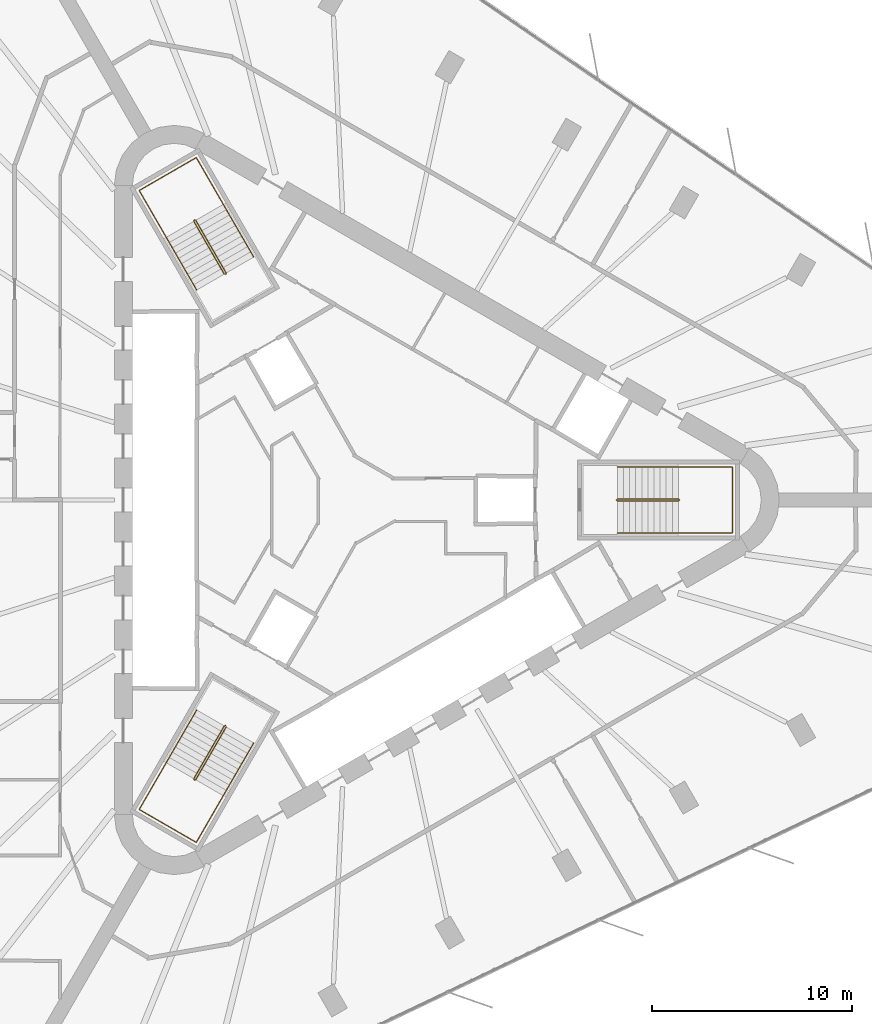
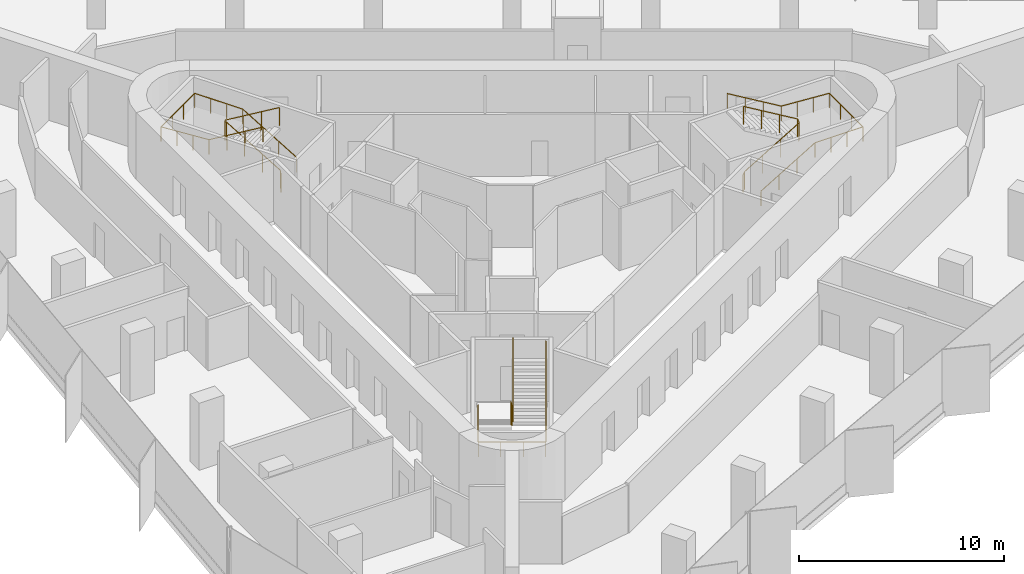
# One storey, part 13 of 13: 6 railings.
"""IFC4 building model written with IfcOpenShell, lengths in metres."""

import ifcopenshell
import ifcopenshell.guid

model = None  # the IFC model being written
_history = None  # IfcOwnerHistory: only IFC2X3 demands one
_inside = {}  # id of a spatial element -> (the spatial element, [elements in it])
_under = {}  # id of a project, library or spatial element -> (it, [spatial elements below it])
_declared = {}  # id of a project -> (the project, [libraries it declares])
_typed = {}  # id of a type object -> (the type object, [elements of that type])
_made_of = {}  # id of a material, layer set ... -> (it, [elements and type objects made of it])


def new_model(schema):
    """Start an empty IFC model of exactly this schema.

    Asked for "IFC4X3", IfcOpenShell would pick the latest addendum, in which some entities
    have other attributes; the version numbers below select the first issue.
    IFC2X3 requires an IfcOwnerHistory on every rooted entity: one is made here for all.
    """
    global model, _history
    if schema == "IFC4X3":
        model = ifcopenshell.file(schema_version=(4, 3, 0, 0))
    else:
        model = ifcopenshell.file(schema=schema)
    _inside.clear()
    _under.clear()
    _declared.clear()
    _typed.clear()
    _made_of.clear()
    _history = None
    if model.schema == "IFC2X3":
        org = make("IfcOrganization", Name="unknown")
        user = make(
            "IfcPersonAndOrganization",
            ThePerson=make("IfcPerson", FamilyName="unknown"),
            TheOrganization=org,
        )
        app = make(
            "IfcApplication",
            ApplicationDeveloper=org,
            Version="unknown",
            ApplicationFullName="unknown",
            ApplicationIdentifier="unknown",
        )
        _history = make(
            "IfcOwnerHistory",
            OwningUser=user,
            OwningApplication=app,
            ChangeAction="ADDED",
            CreationDate=0,
        )
    return model


def make(cls, **values):
    """One entity of the class cls with the attributes given. An attribute that is None is left unset."""
    return model.create_entity(
        cls, **{name: value for name, value in values.items() if value is not None}
    )


def rooted(cls, **values):
    """An entity with a GlobalId (a new one), such as an element, a storey or a relation."""
    return make(cls, GlobalId=ifcopenshell.guid.new(), OwnerHistory=_history, **values)


def si_unit(unit_type, name, prefix=None):
    """IfcSIUnit, for example si_unit("LENGTHUNIT", "METRE", prefix="MILLI")."""
    return make("IfcSIUnit", UnitType=unit_type, Prefix=prefix, Name=name)


def assignment(units):
    """IfcUnitAssignment: the units of a project."""
    return None if units is None else make("IfcUnitAssignment", Units=units)


def point(xyz):
    """IfcCartesianPoint."""
    return None if xyz is None else make("IfcCartesianPoint", Coordinates=xyz)


def direction(xyz):
    """IfcDirection."""
    return None if xyz is None else make("IfcDirection", DirectionRatios=xyz)


def frame(location, z_axis=None, x_axis=None):
    """IfcAxis2Placement3D, a coordinate frame: its origin and axes. An axis left out is left unset."""
    return make(
        "IfcAxis2Placement3D",
        Location=point(location),
        Axis=direction(z_axis),
        RefDirection=direction(x_axis),
    )


def frame_2d(location, x_axis=None):
    """IfcAxis2Placement2D, a coordinate frame in the plane: its origin and x axis."""
    return make(
        "IfcAxis2Placement2D", Location=point(location), RefDirection=direction(x_axis)
    )


def origin():
    """The frame at (0, 0, 0) with its axes left unset."""
    return frame((0.0, 0.0, 0.0))


def origin_2d():
    """The frame at (0, 0) in the plane with its x axis left unset."""
    return frame_2d((0.0, 0.0))


def place(relative_to, where):
    """IfcLocalPlacement: puts the frame where relative to a parent placement (None: the world)."""
    return make(
        "IfcLocalPlacement", PlacementRelTo=relative_to, RelativePlacement=where
    )


def context(
    kind, dimensions, precision=None, world=None, true_north=None, identifier=None
):
    """IfcGeometricRepresentationContext, for example the 3D "Model" context."""
    return make(
        "IfcGeometricRepresentationContext",
        ContextIdentifier=identifier,
        ContextType=kind,
        CoordinateSpaceDimension=dimensions,
        Precision=precision,
        WorldCoordinateSystem=world,
        TrueNorth=true_north,
    )


def subcontext(parent, identifier, kind, view, scale=None):
    """IfcGeometricRepresentationSubContext, for example "Body" below "Model"."""
    return make(
        "IfcGeometricRepresentationSubContext",
        ContextIdentifier=identifier,
        ContextType=kind,
        ParentContext=parent,
        TargetScale=scale,
        TargetView=view,
    )


def project(units=None, contexts=None):
    """IfcProject with its units and contexts."""
    return rooted(
        "IfcProject",
        Name="project",
        RepresentationContexts=contexts,
        UnitsInContext=assignment(units),
    )


def spatial(cls, under=None, at=None, **own):
    """A site, building, storey or space (cls), placed at a placement, below another one or the project."""
    s = rooted(cls, ObjectPlacement=at, **own)
    if under is not None:
        _under.setdefault(under.id(), (under, []))[1].append(s)
    return s


def profile(cls, at=None, kind="AREA", **sizes):
    """A parametric profile (cls). Its sizes go by their IFC names, for example OverallWidth=200.0."""
    return make(cls, ProfileType=kind, Position=at, **sizes)


def circle(**sizes):
    """IfcCircleProfileDef."""
    return profile("IfcCircleProfileDef", **sizes)


def extrude(swept, where, along, depth):
    """IfcExtrudedAreaSolid: the profile swept, set in the frame where, extruded along a direction by depth."""
    return make(
        "IfcExtrudedAreaSolid",
        SweptArea=swept,
        Position=where,
        ExtrudedDirection=direction(along),
        Depth=depth,
    )


def shape(context_of_items, identifier, shape_type, items):
    """IfcShapeRepresentation: the items that make up one representation, for example the "Body"."""
    return make(
        "IfcShapeRepresentation",
        ContextOfItems=context_of_items,
        RepresentationIdentifier=identifier,
        RepresentationType=shape_type,
        Items=items,
    )


def material(Name=None, Category=None):
    """IfcMaterial."""
    return make("IfcMaterial", Name=Name, Category=Category)


def made_of(thing, what):
    """Note that an element or type object is made of a material, layer set ...; save() writes the relation."""
    if what is not None:
        _made_of.setdefault(what.id(), (what, []))[1].append(thing)
    return thing


def type_object(cls, material=None, **own):
    """A type object (cls), such as IfcWallType, which elements share."""
    return made_of(rooted(cls, **own), material)


def element(
    cls,
    number,
    at=None,
    inside=None,
    cuts=None,
    type_object=None,
    material=None,
    context=None,
    identifier="Body",
    shape_type=None,
    held_by="IfcProductDefinitionShape",
    body=None,
    shapes=None,
    **own,
):
    """One element of the class cls, such as IfcWall. Its Tag is "e" and its number.

    at: its placement. inside: the storey or other place that contains it. cuts: it is an
    opening in that element (IfcRelVoidsElement). A single representation is given by context,
    identifier, shape_type and body (its items); several are given by shapes. held_by: the class
    of the entity that holds the representations. save() writes the other relations.
    """
    e = rooted(cls, Tag="e%d" % number, ObjectPlacement=at, **own)
    if body is not None:
        shapes = [shape(context, identifier, shape_type, body)]
    if shapes is not None:
        e.Representation = make(held_by, Representations=shapes)
    if inside is not None:
        _inside.setdefault(inside.id(), (inside, []))[1].append(e)
    if cuts is not None:
        rooted(
            "IfcRelVoidsElement", RelatingBuildingElement=cuts, RelatedOpeningElement=e
        )
    if type_object is not None:
        _typed.setdefault(type_object.id(), (type_object, []))[1].append(e)
    return made_of(e, material)


def aggregate(whole, parts):
    """IfcRelAggregates: a whole, such as a stair, and the parts it consists of."""
    return rooted("IfcRelAggregates", RelatingObject=whole, RelatedObjects=parts)


def save(model, path):
    """Write the relations noted so far, then the file.

    IfcRelAggregates (storeys below a building ...), IfcRelContainedInSpatialStructure (elements
    in a storey), IfcRelDefinesByType, IfcRelAssociatesMaterial and IfcRelDeclares: one each for
    every whole, place, type object, material and project.
    """
    for whole, parts in _under.values():
        aggregate(whole, parts)
    for where, things in _inside.values():
        rooted(
            "IfcRelContainedInSpatialStructure",
            RelatedElements=things,
            RelatingStructure=where,
        )
    for kind, things in _typed.values():
        rooted("IfcRelDefinesByType", RelatedObjects=things, RelatingType=kind)
    for what, things in _made_of.values():
        rooted("IfcRelAssociatesMaterial", RelatedObjects=things, RelatingMaterial=what)
    for by, libraries in _declared.values():
        rooted("IfcRelDeclares", RelatingContext=by, RelatedDefinitions=libraries)
    model.write(path)


model = new_model("IFC4")

# Units and contexts
model_context = context("Model", 3, precision=1e-05, world=origin(), true_north=direction((0.0, 1.0)))
body_context = subcontext(model_context, "Body", "Model", "MODEL_VIEW")
ifc_project = project(units=[si_unit("LENGTHUNIT", "METRE"), si_unit("AREAUNIT", "SQUARE_METRE"), si_unit("VOLUMEUNIT", "CUBIC_METRE"), si_unit("PLANEANGLEUNIT", "RADIAN"), si_unit("MASSUNIT", "GRAM", prefix="KILO")], contexts=[model_context])

# Site, building, storey
site_placement = place(None, origin())
site = spatial("IfcSite", under=ifc_project, at=site_placement, CompositionType="ELEMENT")
building_placement = place(site_placement, origin())
building = spatial("IfcBuilding", under=site, at=building_placement, Name="Tanit Gate Tower", CompositionType="ELEMENT")
storey_placement = place(building_placement, frame((0.0, 0.0, 269.199951171875)))
storey = spatial("IfcBuildingStorey", under=building, at=storey_placement, Name="L61", CompositionType="ELEMENT", Elevation=269.199951171875)

# Railings
ifc_material_1 = material(Name="Stainless steel balustrade", Category="steel")
railing_type_1 = type_object("IfcRailingType", Name="INT-STAIR-GUARD", PredefinedType="GUARDRAIL", material=ifc_material_1)
railing_1_placement = place(storey_placement, frame((13.044921875, 0.0048828125, 0.0)))
element("IfcRailing", 1, at=railing_1_placement, inside=storey, type_object=railing_type_1, Name="L61 S1 stair guard 1", PredefinedType="GUARDRAIL", context=body_context, shape_type="SweptSolid", body=[
    extrude(circle(Radius=0.02392578125, at=origin_2d()), frame((0.0, 0.0, 1.076171875), z_axis=(0.0, -1.0, 0.0), x_axis=(1.0, 0.0, 0.0)), (0.0, 0.0, 1.0), 0.009765625),
    extrude(circle(Radius=0.02392578125, at=origin_2d()), frame((0.0, -0.009765625, 1.076171875), z_axis=(0.256435381639, -0.256435381639, 0.931923704005), x_axis=(0.707106781187, 0.707106781187, 0.0)), (0.0, 0.0, 1.0), 0.195068359375),
    extrude(circle(Radius=0.02392578125, at=origin_2d()), frame((0.050048828125, -0.059814453125, 1.2578125), z_axis=(0.859041732319, 0.0, 0.511905559781), x_axis=(0.0, 1.0, 0.0)), (0.0, 0.0, 1.0), 3.5517578125),
    extrude(circle(Radius=0.02392578125, at=origin_2d()), frame((3.10107421875, -0.059814453125, 3.076171875), z_axis=(0.707106781187, 0.707106781187, 0.0), x_axis=(-0.707106781187, 0.707106781187, 0.0)), (0.0, 0.0, 1.0), 0.07080078125),
    extrude(circle(Radius=0.02392578125, at=origin_2d()), frame((3.151123046875, -0.009765625, 3.076171875), z_axis=(0.0, 1.0, 0.0), x_axis=(-1.0, 0.0, 0.0)), (0.0, 0.0, 1.0), 0.009765625),
    extrude(circle(Radius=0.02392578125, at=origin_2d()), frame((3.151123046875, 0.0, 3.076171875), z_axis=(-0.256435381639, 0.256435381639, 0.931923704005), x_axis=(-0.707106781187, -0.707106781187, 0.0)), (0.0, 0.0, 1.0), 0.195068359375),
    extrude(circle(Radius=0.02392578125, at=origin_2d()), frame((3.10107421875, 0.050048828125, 3.2578125), z_axis=(-0.859041732319, 0.0, 0.511905559781), x_axis=(0.0, -1.0, 0.0)), (0.0, 0.0, 1.0), 3.5517578125),
    extrude(circle(Radius=0.02099609375, at=origin_2d()), origin(), (0.0, 0.0, 1.0), 1.052001953125),
    extrude(circle(Radius=0.02099609375, at=origin_2d()), frame((0.0, -0.009765625, 0.0)), (0.0, 0.0, 1.0), 1.052001953125),
    extrude(circle(Radius=0.02099609375, at=origin_2d()), frame((0.050048828125, -0.059814453125, 0.181884765625)), (0.0, 0.0, 1.0), 1.052001953125),
    extrude(circle(Radius=0.02099609375, at=origin_2d()), frame((1.067138671875, -0.059814453125, 0.787841796875)), (0.0, 0.0, 1.0), 1.052001953125),
    extrude(circle(Radius=0.02099609375, at=origin_2d()), frame((2.083984375, -0.059814453125, 1.39404296875)), (0.0, 0.0, 1.0), 1.052001953125),
    extrude(circle(Radius=0.02099609375, at=origin_2d()), frame((3.10107421875, -0.059814453125, 2.0)), (0.0, 0.0, 1.0), 1.052001953125),
    extrude(circle(Radius=0.02099609375, at=origin_2d()), frame((3.151123046875, -0.009765625, 2.0)), (0.0, 0.0, 1.0), 1.052001953125),
    extrude(circle(Radius=0.02099609375, at=origin_2d()), frame((3.151123046875, 0.0, 2.0)), (0.0, 0.0, 1.0), 1.052001953125),
    extrude(circle(Radius=0.02099609375, at=origin_2d()), frame((3.10107421875, 0.050048828125, 2.181884765625)), (0.0, 0.0, 1.0), 1.052001953125),
    extrude(circle(Radius=0.02099609375, at=origin_2d()), frame((2.083984375, 0.050048828125, 2.787841796875)), (0.0, 0.0, 1.0), 1.052001953125),
    extrude(circle(Radius=0.02099609375, at=origin_2d()), frame((1.067138671875, 0.050048828125, 3.39404296875)), (0.0, 0.0, 1.0), 1.052001953125),
    extrude(circle(Radius=0.02099609375, at=origin_2d()), frame((0.050048828125, 0.050048828125, 4.0)), (0.0, 0.0, 1.0), 1.052001953125),
])
railing_2_placement = place(storey_placement, frame((-6.527099609375, 11.29345703125, 0.0)))
element("IfcRailing", 2, at=railing_2_placement, inside=storey, type_object=railing_type_1, Name="L61 S2 stair guard 1", PredefinedType="GUARDRAIL", context=body_context, shape_type="SweptSolid", body=[
    extrude(circle(Radius=0.02392578125, at=origin_2d()), frame((0.0, 0.0, 1.076171875), z_axis=(0.868243142124, 0.496138938357, 0.0), x_axis=(-0.496138938357, 0.868243142124, 0.0)), (0.0, 0.0, 1.0), 0.01171875),
    extrude(circle(Radius=0.02392578125, at=origin_2d()), frame((0.01025390625, 0.005859375, 1.076171875), z_axis=(0.093819657636, 0.350260055175, 0.93194193252), x_axis=(-0.965948051503, 0.258736085224, 0.0)), (0.0, 0.0, 1.0), 0.195068359375),
    extrude(circle(Radius=0.02392578125, at=origin_2d()), frame((0.028564453125, 0.07421875, 1.2578125), z_axis=(-0.429472220917, 0.743822504634, 0.512134448226), x_axis=(-0.866012246495, -0.500022788402, 0.0)), (0.0, 0.0, 1.0), 3.550048828125),
    extrude(circle(Radius=0.02392578125, at=origin_2d()), frame((-1.49609375, 2.71484375, 3.076171875), z_axis=(-0.965715946433, 0.259601060869, 0.0), x_axis=(-0.259601060869, -0.965715946433, 0.0)), (0.0, 0.0, 1.0), 0.070556640625),
    extrude(circle(Radius=0.02392578125, at=origin_2d()), frame((-1.564208984375, 2.733154296875, 3.076171875), z_axis=(-0.873197702015, -0.487366159264, 0.0), x_axis=(0.487366159264, -0.873197702015, 0.0)), (0.0, 0.0, 1.0), 0.011962890625),
    extrude(circle(Radius=0.02392578125, at=origin_2d()), frame((-1.57470703125, 2.727294921875, 3.076171875), z_axis=(-0.093819657636, -0.350260055175, 0.93194193252), x_axis=(0.965948051503, -0.258736085224, 0.0)), (0.0, 0.0, 1.0), 0.195068359375),
    extrude(circle(Radius=0.02392578125, at=origin_2d()), frame((-1.593017578125, 2.658935546875, 3.2578125), z_axis=(0.429472220917, -0.743822504634, 0.512134448226), x_axis=(0.866012246495, 0.500022788402, 0.0)), (0.0, 0.0, 1.0), 3.550048828125),
    extrude(circle(Radius=0.02099609375, at=origin_2d()), origin(), (0.0, 0.0, 1.0), 1.052001953125),
    extrude(circle(Radius=0.02099609375, at=origin_2d()), frame((0.01025390625, 0.005859375, 0.0)), (0.0, 0.0, 1.0), 1.052001953125),
    extrude(circle(Radius=0.02099609375, at=origin_2d()), frame((0.028564453125, 0.07421875, 0.181884765625)), (0.0, 0.0, 1.0), 1.052001953125),
    extrude(circle(Radius=0.02099609375, at=origin_2d()), frame((-0.479736328125, 0.954345703125, 0.787841796875)), (0.0, 0.0, 1.0), 1.052001953125),
    extrude(circle(Radius=0.02099609375, at=origin_2d()), frame((-0.98779296875, 1.834716796875, 1.39404296875)), (0.0, 0.0, 1.0), 1.052001953125),
    extrude(circle(Radius=0.02099609375, at=origin_2d()), frame((-1.49609375, 2.71484375, 2.0)), (0.0, 0.0, 1.0), 1.052001953125),
    extrude(circle(Radius=0.02099609375, at=origin_2d()), frame((-1.564208984375, 2.733154296875, 2.0)), (0.0, 0.0, 1.0), 1.052001953125),
    extrude(circle(Radius=0.02099609375, at=origin_2d()), frame((-1.57470703125, 2.727294921875, 2.0)), (0.0, 0.0, 1.0), 1.052001953125),
    extrude(circle(Radius=0.02099609375, at=origin_2d()), frame((-1.593017578125, 2.658935546875, 2.181884765625)), (0.0, 0.0, 1.0), 1.052001953125),
    extrude(circle(Radius=0.02099609375, at=origin_2d()), frame((-1.084716796875, 1.77880859375, 2.787841796875)), (0.0, 0.0, 1.0), 1.052001953125),
    extrude(circle(Radius=0.02099609375, at=origin_2d()), frame((-0.57666015625, 0.8984375, 3.39404296875)), (0.0, 0.0, 1.0), 1.052001953125),
    extrude(circle(Radius=0.02099609375, at=origin_2d()), frame((-0.068359375, 0.018310546875, 4.0)), (0.0, 0.0, 1.0), 1.052001953125),
])
railing_3_placement = place(storey_placement, frame((-6.51806640625, -11.2998046875, 0.0)))
element("IfcRailing", 3, at=railing_3_placement, inside=storey, type_object=railing_type_1, Name="L61 S3 stair guard 1", PredefinedType="GUARDRAIL", context=body_context, shape_type="SweptSolid", body=[
    extrude(circle(Radius=0.02392578125, at=origin_2d()), frame((0.0, 0.0, 1.076171875), z_axis=(-0.874157276122, 0.485642931179, 0.0), x_axis=(-0.485642931179, -0.874157276122, 0.0)), (0.0, 0.0, 1.0), 0.010009765625),
    extrude(circle(Radius=0.02392578125, at=origin_2d()), frame((-0.0087890625, 0.0048828125, 1.076171875), z_axis=(-0.350300895388, -0.092579522353, 0.932050596658), x_axis=(0.255512919477, -0.966805641264, 0.0)), (0.0, 0.0, 1.0), 0.195068359375),
    extrude(circle(Radius=0.02392578125, at=origin_2d()), frame((-0.0771484375, -0.01318359375, 1.2578125), z_axis=(-0.429486674828, -0.743971555965, 0.511905772639), x_axis=(0.866048339477, -0.499960272111, 0.0)), (0.0, 0.0, 1.0), 3.5517578125),
    extrude(circle(Radius=0.02392578125, at=origin_2d()), frame((-1.6025390625, -2.655517578125, 3.076171875), z_axis=(0.258736085224, -0.965948051503, 0.0), x_axis=(0.965948051503, 0.258736085224, 0.0)), (0.0, 0.0, 1.0), 0.07080078125),
    extrude(circle(Radius=0.02392578125, at=origin_2d()), frame((-1.584228515625, -2.723876953125, 3.076171875), z_axis=(0.868243142124, -0.496138938357, 0.0), x_axis=(0.496138938357, 0.868243142124, 0.0)), (0.0, 0.0, 1.0), 0.009765625),
    extrude(circle(Radius=0.02392578125, at=origin_2d()), frame((-1.57568359375, -2.728759765625, 3.076171875), z_axis=(0.350260055175, 0.093819657636, 0.93194193252), x_axis=(-0.258736085224, 0.965948051503, 0.0)), (0.0, 0.0, 1.0), 0.195068359375),
    extrude(circle(Radius=0.02392578125, at=origin_2d()), frame((-1.50732421875, -2.71044921875, 3.2578125), z_axis=(0.429564698942, 0.743918894535, 0.511916836777), x_axis=(-0.865993683553, 0.500054937028, 0.0)), (0.0, 0.0, 1.0), 3.551513671875),
    extrude(circle(Radius=0.02099609375, at=origin_2d()), origin(), (0.0, 0.0, 1.0), 1.052001953125),
    extrude(circle(Radius=0.02099609375, at=origin_2d()), frame((-0.0087890625, 0.0048828125, 0.0)), (0.0, 0.0, 1.0), 1.052001953125),
    extrude(circle(Radius=0.02099609375, at=origin_2d()), frame((-0.0771484375, -0.01318359375, 0.181884765625)), (0.0, 0.0, 1.0), 1.052001953125),
    extrude(circle(Radius=0.02099609375, at=origin_2d()), frame((-0.585693359375, -0.89404296875, 0.787841796875)), (0.0, 0.0, 1.0), 1.052001953125),
    extrude(circle(Radius=0.02099609375, at=origin_2d()), frame((-1.093994140625, -1.774658203125, 1.39404296875)), (0.0, 0.0, 1.0), 1.052001953125),
    extrude(circle(Radius=0.02099609375, at=origin_2d()), frame((-1.6025390625, -2.655517578125, 2.0)), (0.0, 0.0, 1.0), 1.052001953125),
    extrude(circle(Radius=0.02099609375, at=origin_2d()), frame((-1.584228515625, -2.723876953125, 2.0)), (0.0, 0.0, 1.0), 1.052001953125),
    extrude(circle(Radius=0.02099609375, at=origin_2d()), frame((-1.57568359375, -2.728759765625, 2.0)), (0.0, 0.0, 1.0), 1.052001953125),
    extrude(circle(Radius=0.02099609375, at=origin_2d()), frame((-1.50732421875, -2.71044921875, 2.181884765625)), (0.0, 0.0, 1.0), 1.052001953125),
    extrude(circle(Radius=0.02099609375, at=origin_2d()), frame((-0.998779296875, -1.829833984375, 2.787841796875)), (0.0, 0.0, 1.0), 1.052001953125),
    extrude(circle(Radius=0.02099609375, at=origin_2d()), frame((-0.490234375, -0.948974609375, 3.39404296875)), (0.0, 0.0, 1.0), 1.052001953125),
    extrude(circle(Radius=0.02099609375, at=origin_2d()), frame((0.018310546875, -0.068359375, 4.0)), (0.0, 0.0, 1.0), 1.052001953125),
])
ifc_material_2 = material(Name="Stainless steel handrail", Category="steel")
railing_type_2 = type_object("IfcRailingType", Name="INT-STAIR-HANDRAIL", PredefinedType="HANDRAIL", material=ifc_material_2)
railing_4_placement = place(storey_placement, frame((13.094970703125, -1.64990234375, 0.181884765625)))
element("IfcRailing", 4, at=railing_4_placement, inside=storey, type_object=railing_type_2, Name="L61 S1 stair handrail 1", PredefinedType="HANDRAIL", context=body_context, shape_type="SweptSolid", body=[
    extrude(circle(Radius=0.02392578125, at=origin_2d()), frame((0.0, 0.0, 0.8759765625), z_axis=(0.859041732319, 0.0, 0.511905559781), x_axis=(0.0, 1.0, 0.0)), (0.0, 0.0, 1.0), 3.5517578125),
    extrude(circle(Radius=0.02392578125, at=origin_2d()), frame((3.051025390625, 0.0, 2.69384765625), z_axis=(1.0, 0.0, 0.0), x_axis=(0.0, 1.0, 0.0)), (0.0, 0.0, 1.0), 2.7041015625),
    extrude(circle(Radius=0.02392578125, at=origin_2d()), frame((5.755126953125, 0.0, 2.69384765625), z_axis=(0.0, 1.0, 0.0), x_axis=(-1.0, 0.0, 0.0)), (0.0, 0.0, 1.0), 3.2998046875),
    extrude(circle(Radius=0.02392578125, at=origin_2d()), frame((5.755126953125, 3.2998046875, 2.69384765625), z_axis=(-0.997745521698, 0.0, 0.067110907698), x_axis=(0.0, -1.0, 0.0)), (0.0, 0.0, 1.0), 2.710205078125),
    extrude(circle(Radius=0.02392578125, at=origin_2d()), frame((3.051025390625, 3.2998046875, 2.8759765625), z_axis=(-0.859041732319, 0.0, 0.511905559781), x_axis=(0.0, -1.0, 0.0)), (0.0, 0.0, 1.0), 3.5517578125),
    extrude(circle(Radius=0.02099609375, at=origin_2d()), origin(), (0.0, 0.0, 1.0), 0.851806640625),
    extrude(circle(Radius=0.02099609375, at=origin_2d()), frame((1.01708984375, 0.0, 0.60595703125)), (0.0, 0.0, 1.0), 0.851806640625),
    extrude(circle(Radius=0.02099609375, at=origin_2d()), frame((2.033935546875, 0.0, 1.212158203125)), (0.0, 0.0, 1.0), 0.851806640625),
    extrude(circle(Radius=0.02099609375, at=origin_2d()), frame((3.051025390625, 0.0, 1.818115234375)), (0.0, 0.0, 1.0), 0.851806640625),
    extrude(circle(Radius=0.02099609375, at=origin_2d()), frame((3.952392578125, 0.0, 1.818115234375)), (0.0, 0.0, 1.0), 0.851806640625),
    extrude(circle(Radius=0.02099609375, at=origin_2d()), frame((4.853759765625, 0.0, 1.818115234375)), (0.0, 0.0, 1.0), 0.851806640625),
    extrude(circle(Radius=0.02099609375, at=origin_2d()), frame((5.755126953125, 0.0, 1.818115234375)), (0.0, 0.0, 1.0), 0.851806640625),
    extrude(circle(Radius=0.02099609375, at=origin_2d()), frame((5.755126953125, 1.099853515625, 1.818115234375)), (0.0, 0.0, 1.0), 0.851806640625),
    extrude(circle(Radius=0.02099609375, at=origin_2d()), frame((5.755126953125, 2.199951171875, 1.818115234375)), (0.0, 0.0, 1.0), 0.851806640625),
    extrude(circle(Radius=0.02099609375, at=origin_2d()), frame((5.755126953125, 3.2998046875, 1.818115234375)), (0.0, 0.0, 1.0), 0.851806640625),
    extrude(circle(Radius=0.02099609375, at=origin_2d()), frame((4.853759765625, 3.2998046875, 1.878662109375)), (0.0, 0.0, 1.0), 0.851806640625),
    extrude(circle(Radius=0.02099609375, at=origin_2d()), frame((3.952392578125, 3.2998046875, 1.939453125)), (0.0, 0.0, 1.0), 0.851806640625),
    extrude(circle(Radius=0.02099609375, at=origin_2d()), frame((3.051025390625, 3.2998046875, 2.0)), (0.0, 0.0, 1.0), 0.851806640625),
    extrude(circle(Radius=0.02099609375, at=origin_2d()), frame((2.033935546875, 3.2998046875, 2.60595703125)), (0.0, 0.0, 1.0), 0.851806640625),
    extrude(circle(Radius=0.02099609375, at=origin_2d()), frame((1.01708984375, 3.2998046875, 3.212158203125)), (0.0, 0.0, 1.0), 0.851806640625),
    extrude(circle(Radius=0.02099609375, at=origin_2d()), frame((0.0, 3.2998046875, 3.818115234375)), (0.0, 0.0, 1.0), 0.851806640625),
])
railing_5_placement = place(storey_placement, frame((-5.1181640625, 12.164794921875, 0.181884765625)))
element("IfcRailing", 5, at=railing_5_placement, inside=storey, type_object=railing_type_2, Name="L61 S2 stair handrail 1", PredefinedType="HANDRAIL", context=body_context, shape_type="SweptSolid", body=[
    extrude(circle(Radius=0.02392578125, at=origin_2d()), frame((0.0, 0.0, 0.8759765625), z_axis=(-0.429416132344, 0.743844472684, 0.512149573602), x_axis=(-0.866046917185, -0.499962735845, 0.0)), (0.0, 0.0, 1.0), 3.550048828125),
    extrude(circle(Radius=0.02392578125, at=origin_2d()), frame((-1.5244140625, 2.640625, 2.69384765625), z_axis=(-0.500019123664, 0.86601436245, 0.0), x_axis=(-0.86601436245, -0.500019123664, 0.0)), (0.0, 0.0, 1.0), 2.70703125),
    extrude(circle(Radius=0.02392578125, at=origin_2d()), frame((-2.8779296875, 4.98486328125, 2.69384765625), z_axis=(-0.866008176907, -0.50002983664, 0.0), x_axis=(0.50002983664, -0.866008176907, 0.0)), (0.0, 0.0, 1.0), 3.300048828125),
    extrude(circle(Radius=0.02392578125, at=origin_2d()), frame((-5.73583984375, 3.334716796875, 2.69384765625), z_axis=(0.498932980467, -0.864043208057, 0.067046369128), x_axis=(0.865991810323, 0.500058181068, 0.0)), (0.0, 0.0, 1.0), 2.712890625),
    extrude(circle(Radius=0.02392578125, at=origin_2d()), frame((-4.38232421875, 0.99072265625, 2.8759765625), z_axis=(0.429450252752, -0.743853224023, 0.512108251761), x_axis=(0.866032263162, 0.499988119021, 0.0)), (0.0, 0.0, 1.0), 3.55029296875),
    extrude(circle(Radius=0.02099609375, at=origin_2d()), origin(), (0.0, 0.0, 1.0), 0.851806640625),
    extrude(circle(Radius=0.02099609375, at=origin_2d()), frame((-0.508056640625, 0.880126953125, 0.60595703125)), (0.0, 0.0, 1.0), 0.851806640625),
    extrude(circle(Radius=0.02099609375, at=origin_2d()), frame((-1.016357421875, 1.760498046875, 1.212158203125)), (0.0, 0.0, 1.0), 0.851806640625),
    extrude(circle(Radius=0.02099609375, at=origin_2d()), frame((-1.5244140625, 2.640625, 1.818115234375)), (0.0, 0.0, 1.0), 0.851806640625),
    extrude(circle(Radius=0.02099609375, at=origin_2d()), frame((-1.9755859375, 3.422119140625, 1.818115234375)), (0.0, 0.0, 1.0), 0.851806640625),
    extrude(circle(Radius=0.02099609375, at=origin_2d()), frame((-2.4267578125, 4.203369140625, 1.818115234375)), (0.0, 0.0, 1.0), 0.851806640625),
    extrude(circle(Radius=0.02099609375, at=origin_2d()), frame((-2.8779296875, 4.98486328125, 1.818115234375)), (0.0, 0.0, 1.0), 0.851806640625),
    extrude(circle(Radius=0.02099609375, at=origin_2d()), frame((-3.83056640625, 4.434814453125, 1.818115234375)), (0.0, 0.0, 1.0), 0.851806640625),
    extrude(circle(Radius=0.02099609375, at=origin_2d()), frame((-4.783203125, 3.884765625, 1.818115234375)), (0.0, 0.0, 1.0), 0.851806640625),
    extrude(circle(Radius=0.02099609375, at=origin_2d()), frame((-5.73583984375, 3.334716796875, 1.818115234375)), (0.0, 0.0, 1.0), 0.851806640625),
    extrude(circle(Radius=0.02099609375, at=origin_2d()), frame((-5.28466796875, 2.553466796875, 1.878662109375)), (0.0, 0.0, 1.0), 0.851806640625),
    extrude(circle(Radius=0.02099609375, at=origin_2d()), frame((-4.83349609375, 1.77197265625, 1.939453125)), (0.0, 0.0, 1.0), 0.851806640625),
    extrude(circle(Radius=0.02099609375, at=origin_2d()), frame((-4.38232421875, 0.99072265625, 2.0)), (0.0, 0.0, 1.0), 0.851806640625),
    extrude(circle(Radius=0.02099609375, at=origin_2d()), frame((-3.8740234375, 0.1103515625, 2.60595703125)), (0.0, 0.0, 1.0), 0.851806640625),
    extrude(circle(Radius=0.02099609375, at=origin_2d()), frame((-3.365966796875, -0.769775390625, 3.212158203125)), (0.0, 0.0, 1.0), 0.851806640625),
    extrude(circle(Radius=0.02099609375, at=origin_2d()), frame((-2.857666015625, -1.650146484375, 3.818115234375)), (0.0, 0.0, 1.0), 0.851806640625),
])
railing_6_placement = place(storey_placement, frame((-7.9765625, -10.515625, 0.181884765625)))
element("IfcRailing", 6, at=railing_6_placement, inside=storey, type_object=railing_type_2, Name="L61 S3 stair handrail 1", PredefinedType="HANDRAIL", context=body_context, shape_type="SweptSolid", body=[
    extrude(circle(Radius=0.02392578125, at=origin_2d()), frame((0.0, 0.0, 0.8759765625), z_axis=(-0.429486674828, -0.743971555965, 0.511905772639), x_axis=(0.866048339477, -0.499960272111, 0.0)), (0.0, 0.0, 1.0), 3.5517578125),
    extrude(circle(Radius=0.02392578125, at=origin_2d()), frame((-1.525390625, -2.642333984375, 2.69384765625), z_axis=(-0.50004290449, -0.866000631449, 0.0), x_axis=(0.866000631449, -0.50004290449, 0.0)), (0.0, 0.0, 1.0), 2.703857421875),
    extrude(circle(Radius=0.02392578125, at=origin_2d()), frame((-2.87744140625, -4.98388671875, 2.69384765625), z_axis=(0.866008176907, -0.50002983664, 0.0), x_axis=(0.50002983664, 0.866008176907, 0.0)), (0.0, 0.0, 1.0), 3.300048828125),
    extrude(circle(Radius=0.02392578125, at=origin_2d()), frame((-0.01953125, -6.634033203125, 2.69384765625), z_axis=(0.498876541924, 0.864070745781, 0.067111416348), x_axis=(-0.866023205937, 0.500003806764, 0.0)), (0.0, 0.0, 1.0), 2.710205078125),
    extrude(circle(Radius=0.02392578125, at=origin_2d()), frame((1.33251953125, -4.292236328125, 2.8759765625), z_axis=(0.429486674828, 0.743971555965, 0.511905772639), x_axis=(-0.866048339477, 0.499960272111, 0.0)), (0.0, 0.0, 1.0), 3.5517578125),
    extrude(circle(Radius=0.02099609375, at=origin_2d()), origin(), (0.0, 0.0, 1.0), 0.851806640625),
    extrude(circle(Radius=0.02099609375, at=origin_2d()), frame((-0.508544921875, -0.880859375, 0.60595703125)), (0.0, 0.0, 1.0), 0.851806640625),
    extrude(circle(Radius=0.02099609375, at=origin_2d()), frame((-1.016845703125, -1.761474609375, 1.212158203125)), (0.0, 0.0, 1.0), 0.851806640625),
    extrude(circle(Radius=0.02099609375, at=origin_2d()), frame((-1.525390625, -2.642333984375, 1.818115234375)), (0.0, 0.0, 1.0), 0.851806640625),
    extrude(circle(Radius=0.02099609375, at=origin_2d()), frame((-1.97607421875, -3.4228515625, 1.818115234375)), (0.0, 0.0, 1.0), 0.851806640625),
    extrude(circle(Radius=0.02099609375, at=origin_2d()), frame((-2.4267578125, -4.203369140625, 1.818115234375)), (0.0, 0.0, 1.0), 0.851806640625),
    extrude(circle(Radius=0.02099609375, at=origin_2d()), frame((-2.87744140625, -4.98388671875, 1.818115234375)), (0.0, 0.0, 1.0), 0.851806640625),
    extrude(circle(Radius=0.02099609375, at=origin_2d()), frame((-1.9248046875, -5.533935546875, 1.818115234375)), (0.0, 0.0, 1.0), 0.851806640625),
    extrude(circle(Radius=0.02099609375, at=origin_2d()), frame((-0.97216796875, -6.083984375, 1.818115234375)), (0.0, 0.0, 1.0), 0.851806640625),
    extrude(circle(Radius=0.02099609375, at=origin_2d()), frame((-0.01953125, -6.634033203125, 1.818115234375)), (0.0, 0.0, 1.0), 0.851806640625),
    extrude(circle(Radius=0.02099609375, at=origin_2d()), frame((0.43115234375, -5.853515625, 1.878662109375)), (0.0, 0.0, 1.0), 0.851806640625),
    extrude(circle(Radius=0.02099609375, at=origin_2d()), frame((0.8818359375, -5.07275390625, 1.939453125)), (0.0, 0.0, 1.0), 0.851806640625),
    extrude(circle(Radius=0.02099609375, at=origin_2d()), frame((1.33251953125, -4.292236328125, 2.0)), (0.0, 0.0, 1.0), 0.851806640625),
    extrude(circle(Radius=0.02099609375, at=origin_2d()), frame((1.841064453125, -3.411376953125, 2.60595703125)), (0.0, 0.0, 1.0), 0.851806640625),
    extrude(circle(Radius=0.02099609375, at=origin_2d()), frame((2.349365234375, -2.53076171875, 3.212158203125)), (0.0, 0.0, 1.0), 0.851806640625),
    extrude(circle(Radius=0.02099609375, at=origin_2d()), frame((2.85791015625, -1.64990234375, 3.818115234375)), (0.0, 0.0, 1.0), 0.851806640625),
])

save(model, "model.ifc")
